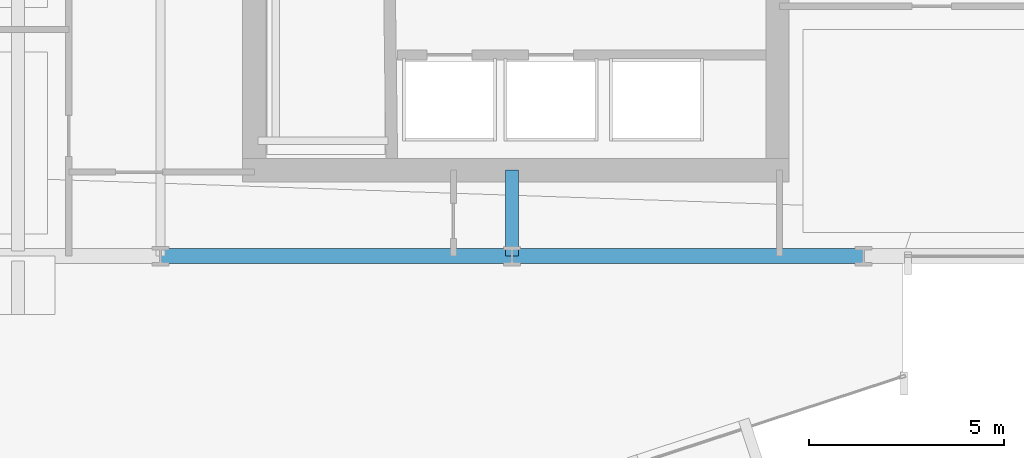
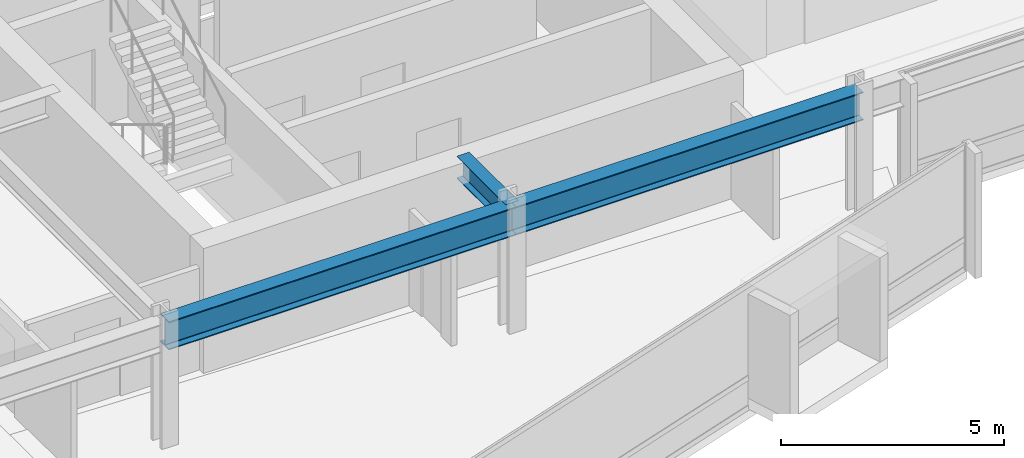
# One storey, part 11 of 34: 3 beams.
"""IFC4 building model written with IfcOpenShell, lengths in metres."""

from ifc_helpers import new_model, si_unit, direction, frame, origin, origin_2d, place, context, subcontext, project, spatial, i_section, extrude, material, material_profile, profile_set, type_object, element, save


model = new_model("IFC4")

# Units and contexts
model_context = context("Model", 3, precision=1e-05, world=origin(), true_north=direction((0.0, 1.0)))
body_context = subcontext(model_context, "Body", "Model", "MODEL_VIEW")
ifc_project = project(units=[si_unit("LENGTHUNIT", "METRE"), si_unit("AREAUNIT", "SQUARE_METRE"), si_unit("VOLUMEUNIT", "CUBIC_METRE"), si_unit("PLANEANGLEUNIT", "RADIAN"), si_unit("MASSUNIT", "GRAM", prefix="KILO")], contexts=[model_context])

# Site, building, storey
site_placement = place(None, origin())
site = spatial("IfcSite", under=ifc_project, at=site_placement, CompositionType="ELEMENT")
building_placement = place(site_placement, origin())
building = spatial("IfcBuilding", under=site, at=building_placement, Name="Solvaryn Broadcast Tower", CompositionType="ELEMENT")
storey_placement = place(building_placement, frame((0.0, 0.0, 36.0)))
storey = spatial("IfcBuildingStorey", under=building, at=storey_placement, Name="L07", CompositionType="ELEMENT", Elevation=36.0)

# Beams
ifc_material_1 = material(Name="Steel ASTM A992 Grade 50", Category="steel")
ifc_material_profile_1 = material_profile(ifc_material_1, i_section(OverallWidth=0.323974609375, OverallDepth=0.611083984375, WebThickness=0.0126953125, FlangeThickness=0.01904296875, FilletRadius=0.014892578125, at=origin_2d()))
ifc_profile_set_1 = profile_set([ifc_material_profile_1], Name="Steel ASTM A992 Grade 50")
beam_type_1 = type_object("IfcBeamType", Name="BM-B1-W24X104", PredefinedType="BEAM", material=ifc_profile_set_1)
beam_placement = place(storey_placement, frame((36.0, 9.0, 3.114501953125), z_axis=(0.0, 1.0, 0.0), x_axis=(-1.0, 0.0, 0.0)))
element("IfcBeam", 1, at=beam_placement, inside=storey, type_object=beam_type_1, Name="L07 Core Tie Beam CTE1", PredefinedType="BEAM", context=body_context, shape_type="SweptSolid", body=[
    extrude(i_section(OverallWidth=0.323974609375, OverallDepth=0.611083984375, WebThickness=0.0126953125, FlangeThickness=0.01904296875, FilletRadius=0.014892578125, at=origin_2d()), origin(), (0.0, 0.0, 1.0), 2.199951171875),
])
ifc_material_2 = material(Name="Steel ASTM A992 Grade 50", Category="steel")
ifc_material_profile_2 = material_profile(ifc_material_2, i_section(OverallWidth=0.381103515625, OverallDepth=0.77294921875, WebThickness=0.0166015625, FlangeThickness=0.027099609375, FilletRadius=0.01806640625, at=origin_2d()))
ifc_profile_set_2 = profile_set([ifc_material_profile_2], Name="Steel ASTM A992 Grade 50")
beam_type_2 = type_object("IfcBeamType", Name="BM-SP1-W30X173", PredefinedType="USERDEFINED", material=ifc_profile_set_2)
for number, where, z_axis, x_axis, name in (
    (2, (27.0, 9.0, 3.033447265625), (1.0, 0.0, 0.0), (0.0, 1.0, 0.0), "L07 Spandrel Beam X (27-36 @ Y=9)"),
    (3, (36.0, 9.0, 3.033447265625), (1.0, 0.0, 0.0), (0.0, 1.0, 0.0), "L07 Spandrel Beam X (36-45 @ Y=9)"),
):
    element("IfcBeam", number, at=place(storey_placement, frame(where, z_axis=z_axis, x_axis=x_axis)), inside=storey, type_object=beam_type_2, Name=name, ObjectType="SPANDREL", PredefinedType="USERDEFINED", context=body_context, shape_type="SweptSolid", body=[
        extrude(i_section(OverallWidth=0.381103515625, OverallDepth=0.77294921875, WebThickness=0.0166015625, FlangeThickness=0.027099609375, FilletRadius=0.01806640625, at=origin_2d()), origin(), (0.0, 0.0, 1.0), 9.0),
    ])

save(model, "model.ifc")
